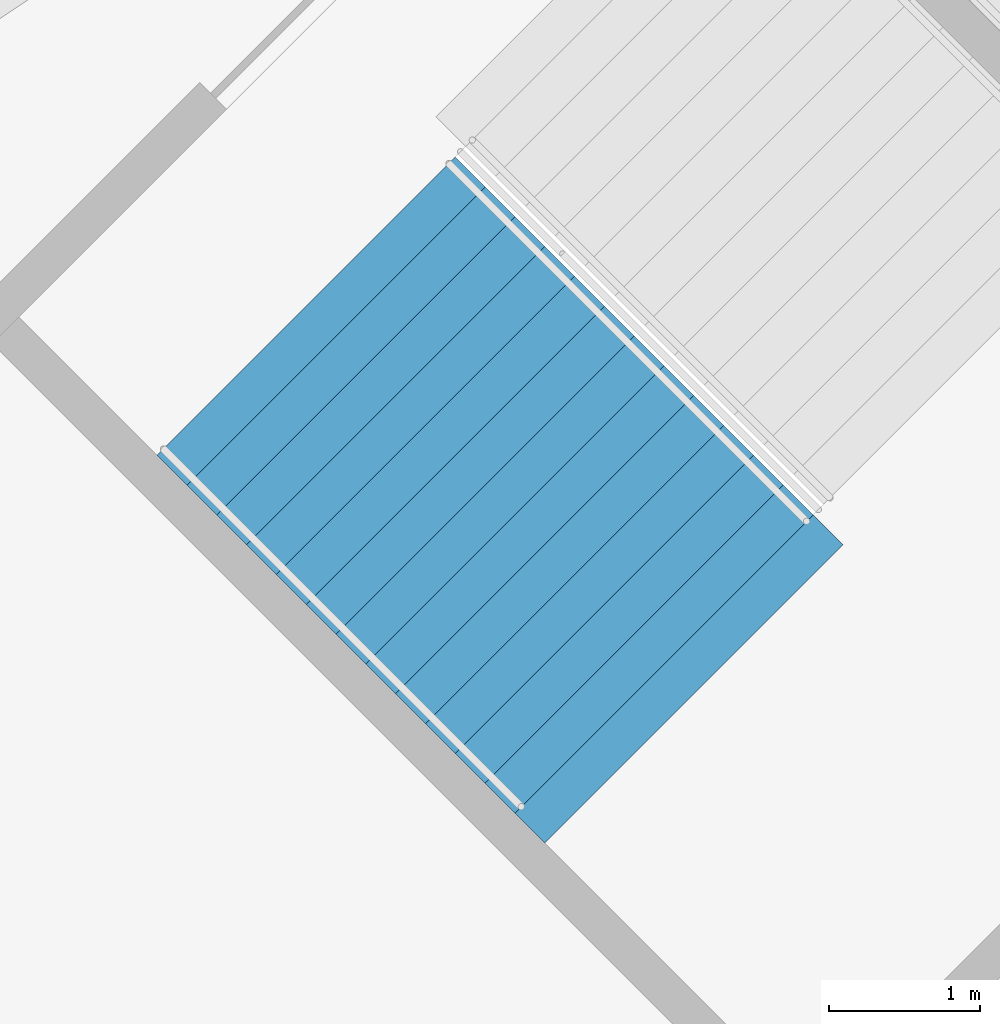
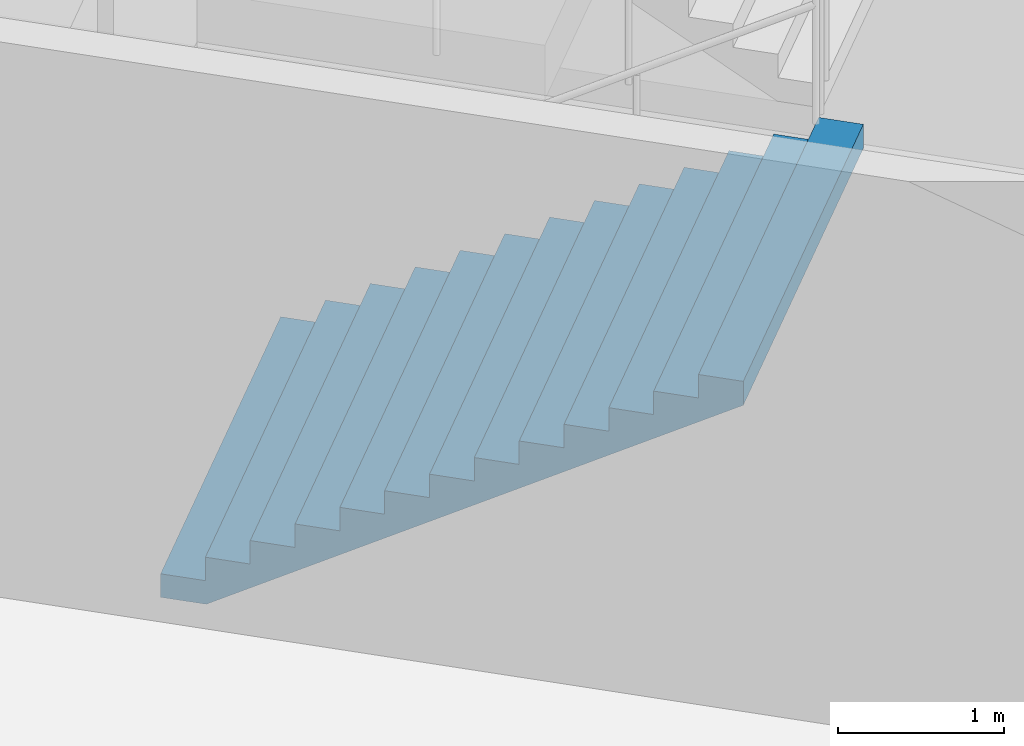
# One storey, part 134 of 199: 1 stair flight, 1 element without a shape of its own.
"""IFC4 building model written with IfcOpenShell, lengths in metres."""

from ifc_helpers import new_model, si_unit, direction, frame, origin, place, context, subcontext, project, spatial, faceted_brep, material, type_object, element, aggregate, save


model = new_model("IFC4")

# Units and contexts
model_context = context("Model", 3, precision=1e-05, world=origin(), true_north=direction((0.0, 1.0)))
body_context = subcontext(model_context, "Body", "Model", "MODEL_VIEW")
ifc_project = project(units=[si_unit("LENGTHUNIT", "METRE"), si_unit("AREAUNIT", "SQUARE_METRE"), si_unit("VOLUMEUNIT", "CUBIC_METRE"), si_unit("PLANEANGLEUNIT", "RADIAN"), si_unit("MASSUNIT", "GRAM", prefix="KILO")], contexts=[model_context])

# Site, building, storey
site_placement = place(None, origin())
site = spatial("IfcSite", under=ifc_project, at=site_placement, CompositionType="ELEMENT")
building_placement = place(site_placement, origin())
building = spatial("IfcBuilding", under=site, at=building_placement, Name="Ogive Plaza Stadium", CompositionType="ELEMENT")
storey_placement = place(building_placement, frame((0.0, 0.0, 9.0)))
storey = spatial("IfcBuildingStorey", under=building, at=storey_placement, Name="L02", CompositionType="ELEMENT", Elevation=9.0)

# Stair, stair flight
ifc_material_1 = material(Name="Concrete C40/50", Category="concrete")
stair_type = type_object("IfcStairType", Name="Exit stair", PredefinedType="STRAIGHT_RUN_STAIR", material=ifc_material_1)
stair_placement = place(storey_placement, origin())
stair = element("IfcStair", 1, at=stair_placement, inside=storey, type_object=stair_type, Name="Exit stair ST10A L02 to L03", PredefinedType="STRAIGHT_RUN_STAIR")
ifc_material_2 = material(Name="Concrete C40/50", Category="concrete")
stair_flight_type = type_object("IfcStairFlightType", Name="Exit stair flight", PredefinedType="STRAIGHT", material=ifc_material_2)
stair_flight_placement = place(storey_placement, frame((60.817138671875, -85.574951171875, 0.0), z_axis=(0.0, 0.0, 1.0), x_axis=(0.707106781187, -0.707106781187, 0.0)))
stair_flight = element("IfcStairFlight", 2, at=stair_flight_placement, type_object=stair_flight_type, Name="ST10A flight 1", NumberOfRisers=13, NumberOfTreads=12, PredefinedType="STRAIGHT", RiserHeight=0.173076923, TreadLength=0.28, context=body_context, shape_type="Brep", body=[
    faceted_brep([(0.28515625, -1.39990234375, 0.0), (3.639892578125, -1.39990234375, 2.07373046875), (3.639892578125, -1.39990234375, 2.25), (3.360107421875, -1.39990234375, 2.25), (3.360107421875, -1.39990234375, 2.076904296875), (3.080078125, -1.39990234375, 2.076904296875), (3.080078125, -1.39990234375, 1.90380859375), (2.800048828125, -1.39990234375, 1.90380859375), (2.800048828125, -1.39990234375, 1.730712890625), (2.52001953125, -1.39990234375, 1.730712890625), (2.52001953125, -1.39990234375, 1.5576171875), (2.239990234375, -1.39990234375, 1.5576171875), (2.239990234375, -1.39990234375, 1.384521484375), (1.9599609375, -1.39990234375, 1.384521484375), (1.9599609375, -1.39990234375, 1.21142578125), (1.679931640625, -1.39990234375, 1.21142578125), (1.679931640625, -1.39990234375, 1.03857421875), (1.39990234375, -1.39990234375, 1.03857421875), (1.39990234375, -1.39990234375, 0.865478515625), (1.1201171875, -1.39990234375, 0.865478515625), (1.1201171875, -1.39990234375, 0.6923828125), (0.840087890625, -1.39990234375, 0.6923828125), (0.840087890625, -1.39990234375, 0.519287109375), (0.56005859375, -1.39990234375, 0.519287109375), (0.56005859375, -1.39990234375, 0.34619140625), (0.280029296875, -1.39990234375, 0.34619140625), (0.280029296875, -1.39990234375, 0.173095703125), (0.0, -1.39990234375, 0.173095703125), (0.0, -1.39990234375, 0.0), (0.0, 1.39990234375, 0.0), (0.0, 1.39990234375, 0.173095703125), (0.280029296875, 1.39990234375, 0.173095703125), (0.280029296875, 1.39990234375, 0.34619140625), (0.56005859375, 1.39990234375, 0.34619140625), (0.56005859375, 1.39990234375, 0.519287109375), (0.840087890625, 1.39990234375, 0.519287109375), (0.840087890625, 1.39990234375, 0.6923828125), (1.1201171875, 1.39990234375, 0.6923828125), (1.1201171875, 1.39990234375, 0.865478515625), (1.39990234375, 1.39990234375, 0.865478515625), (1.39990234375, 1.39990234375, 1.03857421875), (1.679931640625, 1.39990234375, 1.03857421875), (1.679931640625, 1.39990234375, 1.21142578125), (1.9599609375, 1.39990234375, 1.21142578125), (1.9599609375, 1.39990234375, 1.384521484375), (2.239990234375, 1.39990234375, 1.384521484375), (2.239990234375, 1.39990234375, 1.5576171875), (2.52001953125, 1.39990234375, 1.5576171875), (2.52001953125, 1.39990234375, 1.730712890625), (2.800048828125, 1.39990234375, 1.730712890625), (2.800048828125, 1.39990234375, 1.90380859375), (3.080078125, 1.39990234375, 1.90380859375), (3.080078125, 1.39990234375, 2.076904296875), (3.360107421875, 1.39990234375, 2.076904296875), (3.360107421875, 1.39990234375, 2.25), (3.639892578125, 1.39990234375, 2.25), (3.639892578125, 1.39990234375, 2.07373046875), (0.28515625, 1.39990234375, 0.0), (0.28515625, -1.0888671875, 0.0), (3.639892578125, -1.0888671875, 2.07373046875), (0.28515625, -0.77783203125, 0.0), (3.639892578125, -0.77783203125, 2.07373046875), (0.28515625, -0.466796875, 0.0), (3.639892578125, -0.466796875, 2.07373046875), (0.28515625, -0.155517578125, 0.0), (3.639892578125, -0.155517578125, 2.07373046875), (0.28515625, 0.155517578125, 0.0), (3.639892578125, 0.155517578125, 2.07373046875), (0.28515625, 0.466796875, 0.0), (3.639892578125, 0.466796875, 2.07373046875), (0.28515625, 0.77783203125, 0.0), (3.639892578125, 0.77783203125, 2.07373046875), (0.28515625, 1.0888671875, 0.0), (3.639892578125, 1.0888671875, 2.07373046875), (3.639892578125, -1.0888671875, 2.25), (3.639892578125, -0.77783203125, 2.25), (3.639892578125, -0.466796875, 2.25), (3.639892578125, -0.155517578125, 2.25), (3.639892578125, 0.155517578125, 2.25), (3.639892578125, 0.466796875, 2.25), (3.639892578125, 0.77783203125, 2.25), (3.639892578125, 1.0888671875, 2.25), (3.360107421875, -1.0888671875, 2.25), (3.360107421875, -0.77783203125, 2.25), (3.360107421875, -0.466796875, 2.25), (3.360107421875, -0.155517578125, 2.25), (3.360107421875, 0.155517578125, 2.25), (3.360107421875, 0.466796875, 2.25), (3.360107421875, 0.77783203125, 2.25), (3.360107421875, 1.0888671875, 2.25), (3.360107421875, -1.0888671875, 2.076904296875), (3.360107421875, -0.77783203125, 2.076904296875), (3.360107421875, -0.466796875, 2.076904296875), (3.360107421875, -0.155517578125, 2.076904296875), (3.360107421875, 0.155517578125, 2.076904296875), (3.360107421875, 0.466796875, 2.076904296875), (3.360107421875, 0.77783203125, 2.076904296875), (3.360107421875, 1.0888671875, 2.076904296875), (3.080078125, -1.0888671875, 2.076904296875), (3.080078125, -0.77783203125, 2.076904296875), (3.080078125, -0.466796875, 2.076904296875), (3.080078125, -0.155517578125, 2.076904296875), (3.080078125, 0.155517578125, 2.076904296875), (3.080078125, 0.466796875, 2.076904296875), (3.080078125, 0.77783203125, 2.076904296875), (3.080078125, 1.0888671875, 2.076904296875), (3.080078125, -1.0888671875, 1.90380859375), (3.080078125, -0.77783203125, 1.90380859375), (3.080078125, -0.466796875, 1.90380859375), (3.080078125, -0.155517578125, 1.90380859375), (3.080078125, 0.155517578125, 1.90380859375), (3.080078125, 0.466796875, 1.90380859375), (3.080078125, 0.77783203125, 1.90380859375), (3.080078125, 1.0888671875, 1.90380859375), (2.800048828125, -1.0888671875, 1.90380859375), (2.800048828125, -0.77783203125, 1.90380859375), (2.800048828125, -0.466796875, 1.90380859375), (2.800048828125, -0.155517578125, 1.90380859375), (2.800048828125, 0.155517578125, 1.90380859375), (2.800048828125, 0.466796875, 1.90380859375), (2.800048828125, 0.77783203125, 1.90380859375), (2.800048828125, 1.0888671875, 1.90380859375), (2.800048828125, -1.0888671875, 1.730712890625), (2.800048828125, -0.77783203125, 1.730712890625), (2.800048828125, -0.466796875, 1.730712890625), (2.800048828125, -0.155517578125, 1.730712890625), (2.800048828125, 0.155517578125, 1.730712890625), (2.800048828125, 0.466796875, 1.730712890625), (2.800048828125, 0.77783203125, 1.730712890625), (2.800048828125, 1.0888671875, 1.730712890625), (2.52001953125, -1.0888671875, 1.730712890625), (2.52001953125, -0.77783203125, 1.730712890625), (2.52001953125, -0.466796875, 1.730712890625), (2.52001953125, -0.155517578125, 1.730712890625), (2.52001953125, 0.155517578125, 1.730712890625), (2.52001953125, 0.466796875, 1.730712890625), (2.52001953125, 0.77783203125, 1.730712890625), (2.52001953125, 1.0888671875, 1.730712890625), (2.52001953125, -1.0888671875, 1.5576171875), (2.52001953125, -0.77783203125, 1.5576171875), (2.52001953125, -0.466796875, 1.5576171875), (2.52001953125, -0.155517578125, 1.5576171875), (2.52001953125, 0.155517578125, 1.5576171875), (2.52001953125, 0.466796875, 1.5576171875), (2.52001953125, 0.77783203125, 1.5576171875), (2.52001953125, 1.0888671875, 1.5576171875), (2.239990234375, -1.0888671875, 1.5576171875), (2.239990234375, -0.77783203125, 1.5576171875), (2.239990234375, -0.466796875, 1.5576171875), (2.239990234375, -0.155517578125, 1.5576171875), (2.239990234375, 0.155517578125, 1.5576171875), (2.239990234375, 0.466796875, 1.5576171875), (2.239990234375, 0.77783203125, 1.5576171875), (2.239990234375, 1.0888671875, 1.5576171875), (2.239990234375, -1.0888671875, 1.384521484375), (2.239990234375, -0.77783203125, 1.384521484375), (2.239990234375, -0.466796875, 1.384521484375), (2.239990234375, -0.155517578125, 1.384521484375), (2.239990234375, 0.155517578125, 1.384521484375), (2.239990234375, 0.466796875, 1.384521484375), (2.239990234375, 0.77783203125, 1.384521484375), (2.239990234375, 1.0888671875, 1.384521484375), (1.9599609375, -1.0888671875, 1.384521484375), (1.9599609375, -0.77783203125, 1.384521484375), (1.9599609375, -0.466796875, 1.384521484375), (1.9599609375, -0.155517578125, 1.384521484375), (1.9599609375, 0.155517578125, 1.384521484375), (1.9599609375, 0.466796875, 1.384521484375), (1.9599609375, 0.77783203125, 1.384521484375), (1.9599609375, 1.0888671875, 1.384521484375), (1.9599609375, -1.0888671875, 1.21142578125), (1.9599609375, -0.77783203125, 1.21142578125), (1.9599609375, -0.466796875, 1.21142578125), (1.9599609375, -0.155517578125, 1.21142578125), (1.9599609375, 0.155517578125, 1.21142578125), (1.9599609375, 0.466796875, 1.21142578125), (1.9599609375, 0.77783203125, 1.21142578125), (1.9599609375, 1.0888671875, 1.21142578125), (1.679931640625, -1.0888671875, 1.21142578125), (1.679931640625, -0.77783203125, 1.21142578125), (1.679931640625, -0.466796875, 1.21142578125), (1.679931640625, -0.155517578125, 1.21142578125), (1.679931640625, 0.155517578125, 1.21142578125), (1.679931640625, 0.466796875, 1.21142578125), (1.679931640625, 0.77783203125, 1.21142578125), (1.679931640625, 1.0888671875, 1.21142578125), (1.679931640625, -1.0888671875, 1.03857421875), (1.679931640625, -0.77783203125, 1.03857421875), (1.679931640625, -0.466796875, 1.03857421875), (1.679931640625, -0.155517578125, 1.03857421875), (1.679931640625, 0.155517578125, 1.03857421875), (1.679931640625, 0.466796875, 1.03857421875), (1.679931640625, 0.77783203125, 1.03857421875), (1.679931640625, 1.0888671875, 1.03857421875), (1.39990234375, -1.0888671875, 1.03857421875), (1.39990234375, -0.77783203125, 1.03857421875), (1.39990234375, -0.466796875, 1.03857421875), (1.39990234375, -0.155517578125, 1.03857421875), (1.39990234375, 0.155517578125, 1.03857421875), (1.39990234375, 0.466796875, 1.03857421875), (1.39990234375, 0.77783203125, 1.03857421875), (1.39990234375, 1.0888671875, 1.03857421875), (1.39990234375, -1.0888671875, 0.865478515625), (1.39990234375, -0.77783203125, 0.865478515625), (1.39990234375, -0.466796875, 0.865478515625), (1.39990234375, -0.155517578125, 0.865478515625), (1.39990234375, 0.155517578125, 0.865478515625), (1.39990234375, 0.466796875, 0.865478515625), (1.39990234375, 0.77783203125, 0.865478515625), (1.39990234375, 1.0888671875, 0.865478515625), (1.1201171875, -1.0888671875, 0.865478515625), (1.1201171875, -0.77783203125, 0.865478515625), (1.1201171875, -0.466796875, 0.865478515625), (1.1201171875, -0.155517578125, 0.865478515625), (1.1201171875, 0.155517578125, 0.865478515625), (1.1201171875, 0.466796875, 0.865478515625), (1.1201171875, 0.77783203125, 0.865478515625), (1.1201171875, 1.0888671875, 0.865478515625), (1.1201171875, -1.0888671875, 0.6923828125), (1.1201171875, -0.77783203125, 0.6923828125), (1.1201171875, -0.466796875, 0.6923828125), (1.1201171875, -0.155517578125, 0.6923828125), (1.1201171875, 0.155517578125, 0.6923828125), (1.1201171875, 0.466796875, 0.6923828125), (1.1201171875, 0.77783203125, 0.6923828125), (1.1201171875, 1.0888671875, 0.6923828125), (0.840087890625, -1.0888671875, 0.6923828125), (0.840087890625, -0.77783203125, 0.6923828125), (0.840087890625, -0.466796875, 0.6923828125), (0.840087890625, -0.155517578125, 0.6923828125), (0.840087890625, 0.155517578125, 0.6923828125), (0.840087890625, 0.466796875, 0.6923828125), (0.840087890625, 0.77783203125, 0.6923828125), (0.840087890625, 1.0888671875, 0.6923828125), (0.840087890625, -1.0888671875, 0.519287109375), (0.840087890625, -0.77783203125, 0.519287109375), (0.840087890625, -0.466796875, 0.519287109375), (0.840087890625, -0.155517578125, 0.519287109375), (0.840087890625, 0.155517578125, 0.519287109375), (0.840087890625, 0.466796875, 0.519287109375), (0.840087890625, 0.77783203125, 0.519287109375), (0.840087890625, 1.0888671875, 0.519287109375), (0.56005859375, -1.0888671875, 0.519287109375), (0.56005859375, -0.77783203125, 0.519287109375), (0.56005859375, -0.466796875, 0.519287109375), (0.56005859375, -0.155517578125, 0.519287109375), (0.56005859375, 0.155517578125, 0.519287109375), (0.56005859375, 0.466796875, 0.519287109375), (0.56005859375, 0.77783203125, 0.519287109375), (0.56005859375, 1.0888671875, 0.519287109375), (0.56005859375, -1.0888671875, 0.34619140625), (0.56005859375, -0.77783203125, 0.34619140625), (0.56005859375, -0.466796875, 0.34619140625), (0.56005859375, -0.155517578125, 0.34619140625), (0.56005859375, 0.155517578125, 0.34619140625), (0.56005859375, 0.466796875, 0.34619140625), (0.56005859375, 0.77783203125, 0.34619140625), (0.56005859375, 1.0888671875, 0.34619140625), (0.280029296875, -1.0888671875, 0.34619140625), (0.280029296875, -0.77783203125, 0.34619140625), (0.280029296875, -0.466796875, 0.34619140625), (0.280029296875, -0.155517578125, 0.34619140625), (0.280029296875, 0.155517578125, 0.34619140625), (0.280029296875, 0.466796875, 0.34619140625), (0.280029296875, 0.77783203125, 0.34619140625), (0.280029296875, 1.0888671875, 0.34619140625), (0.280029296875, -1.0888671875, 0.173095703125), (0.280029296875, -0.77783203125, 0.173095703125), (0.280029296875, -0.466796875, 0.173095703125), (0.280029296875, -0.155517578125, 0.173095703125), (0.280029296875, 0.155517578125, 0.173095703125), (0.280029296875, 0.466796875, 0.173095703125), (0.280029296875, 0.77783203125, 0.173095703125), (0.280029296875, 1.0888671875, 0.173095703125), (0.0, -1.0888671875, 0.173095703125), (0.0, -0.77783203125, 0.173095703125), (0.0, -0.466796875, 0.173095703125), (0.0, -0.155517578125, 0.173095703125), (0.0, 0.155517578125, 0.173095703125), (0.0, 0.466796875, 0.173095703125), (0.0, 0.77783203125, 0.173095703125), (0.0, 1.0888671875, 0.173095703125), (0.0, -1.0888671875, 0.0), (0.0, -0.77783203125, 0.0), (0.0, -0.466796875, 0.0), (0.0, -0.155517578125, 0.0), (0.0, 0.155517578125, 0.0), (0.0, 0.466796875, 0.0), (0.0, 0.77783203125, 0.0), (0.0, 1.0888671875, 0.0)], [[[0, 1, 2, 3, 4, 5, 6, 7, 8, 9, 10, 11, 12, 13, 14, 15, 16, 17, 18, 19, 20, 21, 22, 23, 24, 25, 26, 27, 28]], [[29, 30, 31, 32, 33, 34, 35, 36, 37, 38, 39, 40, 41, 42, 43, 44, 45, 46, 47, 48, 49, 50, 51, 52, 53, 54, 55, 56, 57]], [[0, 58, 59, 1]], [[58, 60, 61, 59]], [[60, 62, 63, 61]], [[62, 64, 65, 63]], [[64, 66, 67, 65]], [[66, 68, 69, 67]], [[68, 70, 71, 69]], [[70, 72, 73, 71]], [[72, 57, 56, 73]], [[1, 59, 74, 2]], [[59, 61, 75, 74]], [[61, 63, 76, 75]], [[63, 65, 77, 76]], [[65, 67, 78, 77]], [[67, 69, 79, 78]], [[69, 71, 80, 79]], [[71, 73, 81, 80]], [[73, 56, 55, 81]], [[2, 74, 82, 3]], [[74, 75, 83, 82]], [[75, 76, 84, 83]], [[76, 77, 85, 84]], [[77, 78, 86, 85]], [[78, 79, 87, 86]], [[79, 80, 88, 87]], [[80, 81, 89, 88]], [[81, 55, 54, 89]], [[3, 82, 90, 4]], [[82, 83, 91, 90]], [[83, 84, 92, 91]], [[84, 85, 93, 92]], [[85, 86, 94, 93]], [[86, 87, 95, 94]], [[87, 88, 96, 95]], [[88, 89, 97, 96]], [[89, 54, 53, 97]], [[4, 90, 98, 5]], [[90, 91, 99, 98]], [[91, 92, 100, 99]], [[92, 93, 101, 100]], [[93, 94, 102, 101]], [[94, 95, 103, 102]], [[95, 96, 104, 103]], [[96, 97, 105, 104]], [[97, 53, 52, 105]], [[5, 98, 106, 6]], [[98, 99, 107, 106]], [[99, 100, 108, 107]], [[100, 101, 109, 108]], [[101, 102, 110, 109]], [[102, 103, 111, 110]], [[103, 104, 112, 111]], [[104, 105, 113, 112]], [[105, 52, 51, 113]], [[6, 106, 114, 7]], [[106, 107, 115, 114]], [[107, 108, 116, 115]], [[108, 109, 117, 116]], [[109, 110, 118, 117]], [[110, 111, 119, 118]], [[111, 112, 120, 119]], [[112, 113, 121, 120]], [[113, 51, 50, 121]], [[7, 114, 122, 8]], [[114, 115, 123, 122]], [[115, 116, 124, 123]], [[116, 117, 125, 124]], [[117, 118, 126, 125]], [[118, 119, 127, 126]], [[119, 120, 128, 127]], [[120, 121, 129, 128]], [[121, 50, 49, 129]], [[8, 122, 130, 9]], [[122, 123, 131, 130]], [[123, 124, 132, 131]], [[124, 125, 133, 132]], [[125, 126, 134, 133]], [[126, 127, 135, 134]], [[127, 128, 136, 135]], [[128, 129, 137, 136]], [[129, 49, 48, 137]], [[9, 130, 138, 10]], [[130, 131, 139, 138]], [[131, 132, 140, 139]], [[132, 133, 141, 140]], [[133, 134, 142, 141]], [[134, 135, 143, 142]], [[135, 136, 144, 143]], [[136, 137, 145, 144]], [[137, 48, 47, 145]], [[10, 138, 146, 11]], [[138, 139, 147, 146]], [[139, 140, 148, 147]], [[140, 141, 149, 148]], [[141, 142, 150, 149]], [[142, 143, 151, 150]], [[143, 144, 152, 151]], [[144, 145, 153, 152]], [[145, 47, 46, 153]], [[11, 146, 154, 12]], [[146, 147, 155, 154]], [[147, 148, 156, 155]], [[148, 149, 157, 156]], [[149, 150, 158, 157]], [[150, 151, 159, 158]], [[151, 152, 160, 159]], [[152, 153, 161, 160]], [[153, 46, 45, 161]], [[12, 154, 162, 13]], [[154, 155, 163, 162]], [[155, 156, 164, 163]], [[156, 157, 165, 164]], [[157, 158, 166, 165]], [[158, 159, 167, 166]], [[159, 160, 168, 167]], [[160, 161, 169, 168]], [[161, 45, 44, 169]], [[13, 162, 170, 14]], [[162, 163, 171, 170]], [[163, 164, 172, 171]], [[164, 165, 173, 172]], [[165, 166, 174, 173]], [[166, 167, 175, 174]], [[167, 168, 176, 175]], [[168, 169, 177, 176]], [[169, 44, 43, 177]], [[14, 170, 178, 15]], [[170, 171, 179, 178]], [[171, 172, 180, 179]], [[172, 173, 181, 180]], [[173, 174, 182, 181]], [[174, 175, 183, 182]], [[175, 176, 184, 183]], [[176, 177, 185, 184]], [[177, 43, 42, 185]], [[15, 178, 186, 16]], [[178, 179, 187, 186]], [[179, 180, 188, 187]], [[180, 181, 189, 188]], [[181, 182, 190, 189]], [[182, 183, 191, 190]], [[183, 184, 192, 191]], [[184, 185, 193, 192]], [[185, 42, 41, 193]], [[16, 186, 194, 17]], [[186, 187, 195, 194]], [[187, 188, 196, 195]], [[188, 189, 197, 196]], [[189, 190, 198, 197]], [[190, 191, 199, 198]], [[191, 192, 200, 199]], [[192, 193, 201, 200]], [[193, 41, 40, 201]], [[17, 194, 202, 18]], [[194, 195, 203, 202]], [[195, 196, 204, 203]], [[196, 197, 205, 204]], [[197, 198, 206, 205]], [[198, 199, 207, 206]], [[199, 200, 208, 207]], [[200, 201, 209, 208]], [[201, 40, 39, 209]], [[18, 202, 210, 19]], [[202, 203, 211, 210]], [[203, 204, 212, 211]], [[204, 205, 213, 212]], [[205, 206, 214, 213]], [[206, 207, 215, 214]], [[207, 208, 216, 215]], [[208, 209, 217, 216]], [[209, 39, 38, 217]], [[19, 210, 218, 20]], [[210, 211, 219, 218]], [[211, 212, 220, 219]], [[212, 213, 221, 220]], [[213, 214, 222, 221]], [[214, 215, 223, 222]], [[215, 216, 224, 223]], [[216, 217, 225, 224]], [[217, 38, 37, 225]], [[20, 218, 226, 21]], [[218, 219, 227, 226]], [[219, 220, 228, 227]], [[220, 221, 229, 228]], [[221, 222, 230, 229]], [[222, 223, 231, 230]], [[223, 224, 232, 231]], [[224, 225, 233, 232]], [[225, 37, 36, 233]], [[21, 226, 234, 22]], [[226, 227, 235, 234]], [[227, 228, 236, 235]], [[228, 229, 237, 236]], [[229, 230, 238, 237]], [[230, 231, 239, 238]], [[231, 232, 240, 239]], [[232, 233, 241, 240]], [[233, 36, 35, 241]], [[22, 234, 242, 23]], [[234, 235, 243, 242]], [[235, 236, 244, 243]], [[236, 237, 245, 244]], [[237, 238, 246, 245]], [[238, 239, 247, 246]], [[239, 240, 248, 247]], [[240, 241, 249, 248]], [[241, 35, 34, 249]], [[23, 242, 250, 24]], [[242, 243, 251, 250]], [[243, 244, 252, 251]], [[244, 245, 253, 252]], [[245, 246, 254, 253]], [[246, 247, 255, 254]], [[247, 248, 256, 255]], [[248, 249, 257, 256]], [[249, 34, 33, 257]], [[24, 250, 258, 25]], [[250, 251, 259, 258]], [[251, 252, 260, 259]], [[252, 253, 261, 260]], [[253, 254, 262, 261]], [[254, 255, 263, 262]], [[255, 256, 264, 263]], [[256, 257, 265, 264]], [[257, 33, 32, 265]], [[25, 258, 266, 26]], [[258, 259, 267, 266]], [[259, 260, 268, 267]], [[260, 261, 269, 268]], [[261, 262, 270, 269]], [[262, 263, 271, 270]], [[263, 264, 272, 271]], [[264, 265, 273, 272]], [[265, 32, 31, 273]], [[26, 266, 274, 27]], [[266, 267, 275, 274]], [[267, 268, 276, 275]], [[268, 269, 277, 276]], [[269, 270, 278, 277]], [[270, 271, 279, 278]], [[271, 272, 280, 279]], [[272, 273, 281, 280]], [[273, 31, 30, 281]], [[27, 274, 282, 28]], [[274, 275, 283, 282]], [[275, 276, 284, 283]], [[276, 277, 285, 284]], [[277, 278, 286, 285]], [[278, 279, 287, 286]], [[279, 280, 288, 287]], [[280, 281, 289, 288]], [[281, 30, 29, 289]], [[28, 282, 58, 0]], [[282, 283, 60, 58]], [[283, 284, 62, 60]], [[284, 285, 64, 62]], [[285, 286, 66, 64]], [[286, 287, 68, 66]], [[287, 288, 70, 68]], [[288, 289, 72, 70]], [[289, 29, 57, 72]]]),
])
aggregate(stair, [stair_flight])

save(model, "model.ifc")
